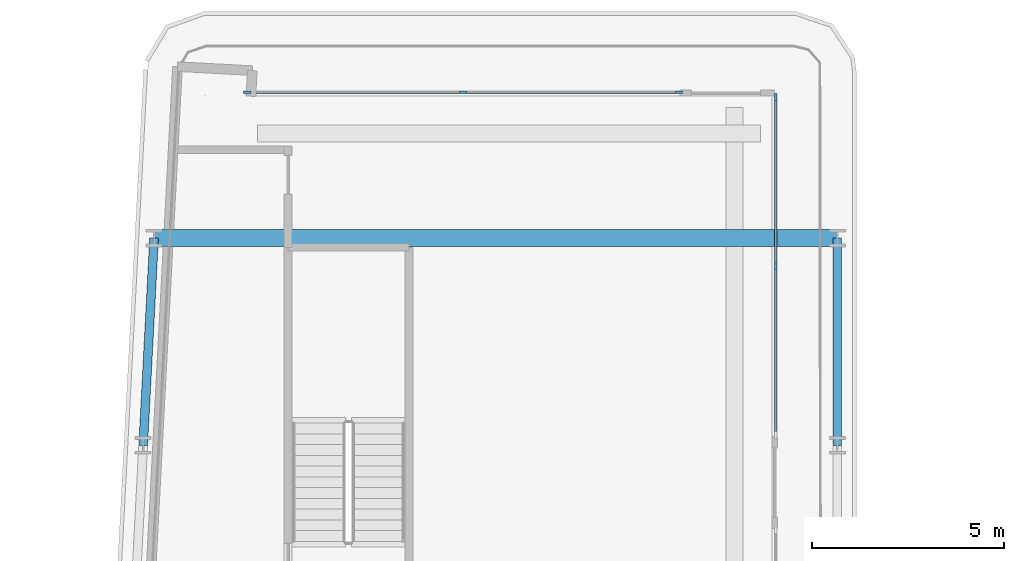
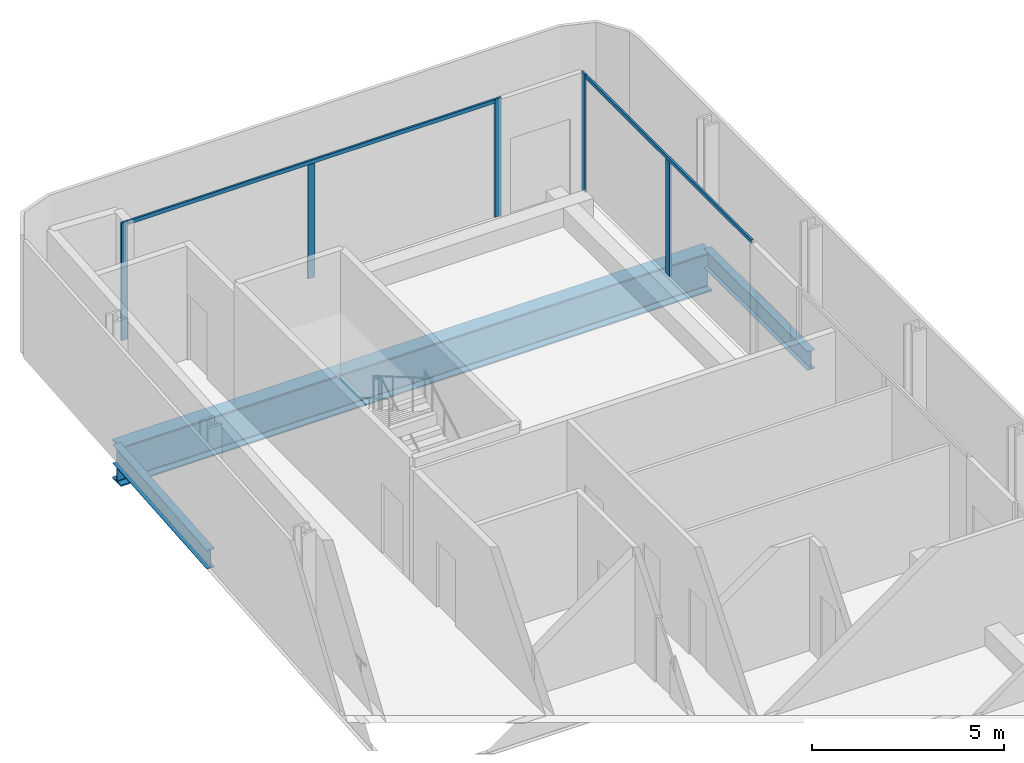
# One storey, part 9 of 25: 7 members, 3 beams, 2 elements without a shape of their own.
"""IFC4 building model written with IfcOpenShell, lengths in metres."""

import ifcopenshell
import ifcopenshell.guid

model = None  # the IFC model being written
_history = None  # IfcOwnerHistory: only IFC2X3 demands one
_inside = {}  # id of a spatial element -> (the spatial element, [elements in it])
_under = {}  # id of a project, library or spatial element -> (it, [spatial elements below it])
_declared = {}  # id of a project -> (the project, [libraries it declares])
_typed = {}  # id of a type object -> (the type object, [elements of that type])
_made_of = {}  # id of a material, layer set ... -> (it, [elements and type objects made of it])


def new_model(schema):
    """Start an empty IFC model of exactly this schema.

    Asked for "IFC4X3", IfcOpenShell would pick the latest addendum, in which some entities
    have other attributes; the version numbers below select the first issue.
    IFC2X3 requires an IfcOwnerHistory on every rooted entity: one is made here for all.
    """
    global model, _history
    if schema == "IFC4X3":
        model = ifcopenshell.file(schema_version=(4, 3, 0, 0))
    else:
        model = ifcopenshell.file(schema=schema)
    _inside.clear()
    _under.clear()
    _declared.clear()
    _typed.clear()
    _made_of.clear()
    _history = None
    if model.schema == "IFC2X3":
        org = make("IfcOrganization", Name="unknown")
        user = make(
            "IfcPersonAndOrganization",
            ThePerson=make("IfcPerson", FamilyName="unknown"),
            TheOrganization=org,
        )
        app = make(
            "IfcApplication",
            ApplicationDeveloper=org,
            Version="unknown",
            ApplicationFullName="unknown",
            ApplicationIdentifier="unknown",
        )
        _history = make(
            "IfcOwnerHistory",
            OwningUser=user,
            OwningApplication=app,
            ChangeAction="ADDED",
            CreationDate=0,
        )
    return model


def make(cls, **values):
    """One entity of the class cls with the attributes given. An attribute that is None is left unset."""
    return model.create_entity(
        cls, **{name: value for name, value in values.items() if value is not None}
    )


def rooted(cls, **values):
    """An entity with a GlobalId (a new one), such as an element, a storey or a relation."""
    return make(cls, GlobalId=ifcopenshell.guid.new(), OwnerHistory=_history, **values)


def si_unit(unit_type, name, prefix=None):
    """IfcSIUnit, for example si_unit("LENGTHUNIT", "METRE", prefix="MILLI")."""
    return make("IfcSIUnit", UnitType=unit_type, Prefix=prefix, Name=name)


def assignment(units):
    """IfcUnitAssignment: the units of a project."""
    return None if units is None else make("IfcUnitAssignment", Units=units)


def point(xyz):
    """IfcCartesianPoint."""
    return None if xyz is None else make("IfcCartesianPoint", Coordinates=xyz)


def direction(xyz):
    """IfcDirection."""
    return None if xyz is None else make("IfcDirection", DirectionRatios=xyz)


def frame(location, z_axis=None, x_axis=None):
    """IfcAxis2Placement3D, a coordinate frame: its origin and axes. An axis left out is left unset."""
    return make(
        "IfcAxis2Placement3D",
        Location=point(location),
        Axis=direction(z_axis),
        RefDirection=direction(x_axis),
    )


def frame_2d(location, x_axis=None):
    """IfcAxis2Placement2D, a coordinate frame in the plane: its origin and x axis."""
    return make(
        "IfcAxis2Placement2D", Location=point(location), RefDirection=direction(x_axis)
    )


def origin():
    """The frame at (0, 0, 0) with its axes left unset."""
    return frame((0.0, 0.0, 0.0))


def origin_2d():
    """The frame at (0, 0) in the plane with its x axis left unset."""
    return frame_2d((0.0, 0.0))


def place(relative_to, where):
    """IfcLocalPlacement: puts the frame where relative to a parent placement (None: the world)."""
    return make(
        "IfcLocalPlacement", PlacementRelTo=relative_to, RelativePlacement=where
    )


def context(
    kind, dimensions, precision=None, world=None, true_north=None, identifier=None
):
    """IfcGeometricRepresentationContext, for example the 3D "Model" context."""
    return make(
        "IfcGeometricRepresentationContext",
        ContextIdentifier=identifier,
        ContextType=kind,
        CoordinateSpaceDimension=dimensions,
        Precision=precision,
        WorldCoordinateSystem=world,
        TrueNorth=true_north,
    )


def subcontext(parent, identifier, kind, view, scale=None):
    """IfcGeometricRepresentationSubContext, for example "Body" below "Model"."""
    return make(
        "IfcGeometricRepresentationSubContext",
        ContextIdentifier=identifier,
        ContextType=kind,
        ParentContext=parent,
        TargetScale=scale,
        TargetView=view,
    )


def project(units=None, contexts=None):
    """IfcProject with its units and contexts."""
    return rooted(
        "IfcProject",
        Name="project",
        RepresentationContexts=contexts,
        UnitsInContext=assignment(units),
    )


def spatial(cls, under=None, at=None, **own):
    """A site, building, storey or space (cls), placed at a placement, below another one or the project."""
    s = rooted(cls, ObjectPlacement=at, **own)
    if under is not None:
        _under.setdefault(under.id(), (under, []))[1].append(s)
    return s


def profile(cls, at=None, kind="AREA", **sizes):
    """A parametric profile (cls). Its sizes go by their IFC names, for example OverallWidth=200.0."""
    return make(cls, ProfileType=kind, Position=at, **sizes)


def rectangle(**sizes):
    """IfcRectangleProfileDef."""
    return profile("IfcRectangleProfileDef", **sizes)


def i_section(**sizes):
    """IfcIShapeProfileDef."""
    return profile("IfcIShapeProfileDef", **sizes)


def extrude(swept, where, along, depth):
    """IfcExtrudedAreaSolid: the profile swept, set in the frame where, extruded along a direction by depth."""
    return make(
        "IfcExtrudedAreaSolid",
        SweptArea=swept,
        Position=where,
        ExtrudedDirection=direction(along),
        Depth=depth,
    )


def shape(context_of_items, identifier, shape_type, items):
    """IfcShapeRepresentation: the items that make up one representation, for example the "Body"."""
    return make(
        "IfcShapeRepresentation",
        ContextOfItems=context_of_items,
        RepresentationIdentifier=identifier,
        RepresentationType=shape_type,
        Items=items,
    )


def material(Name=None, Category=None):
    """IfcMaterial."""
    return make("IfcMaterial", Name=Name, Category=Category)


def layer(
    of_material, thickness, ventilated=None, Name=None, Category=None, Priority=None
):
    """IfcMaterialLayer: one layer of a wall or slab, of a material (None: an air gap)."""
    return make(
        "IfcMaterialLayer",
        Material=of_material,
        LayerThickness=thickness,
        IsVentilated=ventilated,
        Name=Name,
        Category=Category,
        Priority=Priority,
    )


def layer_set(layers, Name=None):
    """IfcMaterialLayerSet."""
    return make("IfcMaterialLayerSet", MaterialLayers=layers, LayerSetName=Name)


def material_profile(
    of_material, cross_section, Name=None, Category=None, Priority=None
):
    """IfcMaterialProfile: a cross section and its material."""
    return make(
        "IfcMaterialProfile",
        Name=Name,
        Material=of_material,
        Profile=cross_section,
        Priority=Priority,
        Category=Category,
    )


def profile_set(profiles, Name=None, composite=None):
    """IfcMaterialProfileSet."""
    return make(
        "IfcMaterialProfileSet",
        Name=Name,
        MaterialProfiles=profiles,
        CompositeProfile=composite,
    )


def made_of(thing, what):
    """Note that an element or type object is made of a material, layer set ...; save() writes the relation."""
    if what is not None:
        _made_of.setdefault(what.id(), (what, []))[1].append(thing)
    return thing


def type_object(cls, material=None, **own):
    """A type object (cls), such as IfcWallType, which elements share."""
    return made_of(rooted(cls, **own), material)


def element(
    cls,
    number,
    at=None,
    inside=None,
    cuts=None,
    type_object=None,
    material=None,
    context=None,
    identifier="Body",
    shape_type=None,
    held_by="IfcProductDefinitionShape",
    body=None,
    shapes=None,
    **own,
):
    """One element of the class cls, such as IfcWall. Its Tag is "e" and its number.

    at: its placement. inside: the storey or other place that contains it. cuts: it is an
    opening in that element (IfcRelVoidsElement). A single representation is given by context,
    identifier, shape_type and body (its items); several are given by shapes. held_by: the class
    of the entity that holds the representations. save() writes the other relations.
    """
    e = rooted(cls, Tag="e%d" % number, ObjectPlacement=at, **own)
    if body is not None:
        shapes = [shape(context, identifier, shape_type, body)]
    if shapes is not None:
        e.Representation = make(held_by, Representations=shapes)
    if inside is not None:
        _inside.setdefault(inside.id(), (inside, []))[1].append(e)
    if cuts is not None:
        rooted(
            "IfcRelVoidsElement", RelatingBuildingElement=cuts, RelatedOpeningElement=e
        )
    if type_object is not None:
        _typed.setdefault(type_object.id(), (type_object, []))[1].append(e)
    return made_of(e, material)


def aggregate(whole, parts):
    """IfcRelAggregates: a whole, such as a stair, and the parts it consists of."""
    return rooted("IfcRelAggregates", RelatingObject=whole, RelatedObjects=parts)


def save(model, path):
    """Write the relations noted so far, then the file.

    IfcRelAggregates (storeys below a building ...), IfcRelContainedInSpatialStructure (elements
    in a storey), IfcRelDefinesByType, IfcRelAssociatesMaterial and IfcRelDeclares: one each for
    every whole, place, type object, material and project.
    """
    for whole, parts in _under.values():
        aggregate(whole, parts)
    for where, things in _inside.values():
        rooted(
            "IfcRelContainedInSpatialStructure",
            RelatedElements=things,
            RelatingStructure=where,
        )
    for kind, things in _typed.values():
        rooted("IfcRelDefinesByType", RelatedObjects=things, RelatingType=kind)
    for what, things in _made_of.values():
        rooted("IfcRelAssociatesMaterial", RelatedObjects=things, RelatingMaterial=what)
    for by, libraries in _declared.values():
        rooted("IfcRelDeclares", RelatingContext=by, RelatedDefinitions=libraries)
    model.write(path)


model = new_model("IFC4")

# Units and contexts
model_context = context("Model", 3, precision=1e-05, world=origin(), true_north=direction((0.0, 1.0)))
body_context = subcontext(model_context, "Body", "Model", "MODEL_VIEW")
ifc_project = project(units=[si_unit("LENGTHUNIT", "METRE"), si_unit("AREAUNIT", "SQUARE_METRE"), si_unit("VOLUMEUNIT", "CUBIC_METRE"), si_unit("PLANEANGLEUNIT", "RADIAN"), si_unit("MASSUNIT", "GRAM", prefix="KILO")], contexts=[model_context])

# Site, building, storey
site_placement = place(None, origin())
site = spatial("IfcSite", under=ifc_project, at=site_placement, CompositionType="ELEMENT")
building_placement = place(site_placement, origin())
building = spatial("IfcBuilding", under=site, at=building_placement, Name="Kheshtan School and Residences Tower", CompositionType="ELEMENT")
storey_placement = place(building_placement, frame((0.0, 0.0, 109.699951171875)))
storey = spatial("IfcBuildingStorey", under=building, at=storey_placement, Name="L25", CompositionType="ELEMENT", Elevation=109.699951171875)

# Beams
ifc_material_1 = material(Name="Steel ASTM A992 Grade 50", Category="steel")
ifc_material_profile_1 = material_profile(ifc_material_1, i_section(OverallWidth=0.22802734375, OverallDepth=0.60302734375, WebThickness=0.010498046875, FlangeThickness=0.014892578125, FilletRadius=0.013427734375, at=origin_2d()), Name="W610x101")
ifc_profile_set_1 = profile_set([ifc_material_profile_1], Name="Steel ASTM A992 Grade 50")
beam_type_1 = type_object("IfcBeamType", Name="Beam SP2 W610x101 ASTM A992 Grade 50", PredefinedType="BEAM", material=ifc_profile_set_1)
beam_1_placement = place(storey_placement, frame((47.60009765625, 88.800048828125, -0.451416015625), z_axis=(0.0, -1.0, 0.0), x_axis=(1.0, 0.0, 0.0)))
element("IfcBeam", 1, at=beam_1_placement, inside=storey, type_object=beam_type_1, Name="Spandrel beam C099-C091", PredefinedType="BEAM", context=body_context, shape_type="SweptSolid", body=[
    extrude(i_section(OverallWidth=0.22802734375, OverallDepth=0.60302734375, WebThickness=0.010498046875, FlangeThickness=0.014892578125, FilletRadius=0.013427734375, at=origin_2d()), origin(), (0.0, 0.0, 1.0), 5.400146484375),
])
beam_2_placement = place(storey_placement, frame((29.527099609375, 83.39990234375, -0.451416015625), z_axis=(0.05250670125, 0.998620571751, 0.0), x_axis=(-0.998620571751, 0.05250670125, 0.0)))
element("IfcBeam", 2, at=beam_2_placement, inside=storey, type_object=beam_type_1, Name="Spandrel beam C090-C098", PredefinedType="BEAM", context=body_context, shape_type="SweptSolid", body=[
    extrude(i_section(OverallWidth=0.22802734375, OverallDepth=0.60302734375, WebThickness=0.010498046875, FlangeThickness=0.014892578125, FilletRadius=0.013427734375, at=origin_2d()), origin(), (0.0, 0.0, 1.0), 5.40771484375),
])

# Curtain wall, members
ifc_material_2 = material(Name="Clear low-e glass in thermally broken aluminium frame", Category="aluminium")
ifc_layer = layer(ifc_material_2, 0.199951171875)
ifc_layer_set = layer_set([ifc_layer], Name="Curtain wall CW-L")
curtain_wall_type = type_object("IfcCurtainWallType", Name="Curtain wall CW-L", PredefinedType="NOTDEFINED", material=ifc_layer_set)
curtain_wall_1_placement = place(storey_placement, origin())
curtain_wall_1 = element("IfcCurtainWall", 3, at=curtain_wall_1_placement, inside=storey, type_object=curtain_wall_type, Name="Curtain wall CWL3a", PredefinedType="NOTDEFINED")
ifc_material_3 = material(Name="Thermally broken aluminium, dark bronze anodised", Category="aluminium")
ifc_material_profile_2 = material_profile(ifc_material_3, rectangle(XDim=0.06005859375, YDim=0.199951171875, at=origin_2d()), Name="CW-L mullion 60x200")
ifc_profile_set_2 = profile_set([ifc_material_profile_2], Name="Thermally broken aluminium, dark bronze anodised")
member_type_1 = type_object("IfcMemberType", Name="CW-L mullion 60x200", PredefinedType="MULLION", material=ifc_profile_set_2)
member_1_placement = place(storey_placement, frame((32.238037109375, 92.60009765625, 0.0), z_axis=(0.0, 0.0, 1.0), x_axis=(0.0, 1.0, 0.0)))
member_1 = element("IfcMember", 4, at=member_1_placement, type_object=member_type_1, Name="CWL3a mullion 1", PredefinedType="MULLION", context=body_context, shape_type="SweptSolid", body=[
    extrude(rectangle(XDim=0.06005859375, YDim=0.199951171875, at=origin_2d()), origin(), (0.0, 0.0, 1.0), 3.75),
])
member_2_placement = place(storey_placement, frame((37.85400390625, 92.60009765625, 0.0), z_axis=(0.0, 0.0, 1.0), x_axis=(0.0, 1.0, 0.0)))
member_2 = element("IfcMember", 5, at=member_2_placement, type_object=member_type_1, Name="CWL3a mullion 2", PredefinedType="MULLION", context=body_context, shape_type="SweptSolid", body=[
    extrude(rectangle(XDim=0.06005859375, YDim=0.199951171875, at=origin_2d()), origin(), (0.0, 0.0, 1.0), 3.630126953125),
])
member_3_placement = place(storey_placement, frame((43.469970703125, 92.60009765625, 0.0), z_axis=(0.0, 0.0, 1.0), x_axis=(0.0, 1.0, 0.0)))
member_3 = element("IfcMember", 6, at=member_3_placement, type_object=member_type_1, Name="CWL3a mullion 3", PredefinedType="MULLION", context=body_context, shape_type="SweptSolid", body=[
    extrude(rectangle(XDim=0.06005859375, YDim=0.199951171875, at=origin_2d()), origin(), (0.0, 0.0, 1.0), 3.75),
])

curtain_wall_2_placement = place(storey_placement, origin())
curtain_wall_2 = element("IfcCurtainWall", 7, at=curtain_wall_2_placement, inside=storey, type_object=curtain_wall_type, Name="Curtain wall CWL4b", PredefinedType="NOTDEFINED")
member_4_placement = place(storey_placement, frame((46.0, 92.469970703125, 0.0), z_axis=(0.0, 0.0, 1.0), x_axis=(1.0, 0.0, 0.0)))
member_4 = element("IfcMember", 8, at=member_4_placement, type_object=member_type_1, Name="CWL4b mullion 1", PredefinedType="MULLION", context=body_context, shape_type="SweptSolid", body=[
    extrude(rectangle(XDim=0.06005859375, YDim=0.199951171875, at=origin_2d()), origin(), (0.0, 0.0, 1.0), 3.75),
])
member_5_placement = place(storey_placement, frame((46.0, 88.066162109375, 0.0), z_axis=(0.0, 0.0, 1.0), x_axis=(1.0, 0.0, 0.0)))
member_5 = element("IfcMember", 9, at=member_5_placement, type_object=member_type_1, Name="CWL4b mullion 2", PredefinedType="MULLION", context=body_context, shape_type="SweptSolid", body=[
    extrude(rectangle(XDim=0.06005859375, YDim=0.199951171875, at=origin_2d()), origin(), (0.0, 0.0, 1.0), 3.630126953125),
])

# Member
ifc_material_profile_3 = material_profile(ifc_material_3, rectangle(XDim=0.06005859375, YDim=0.1201171875, at=origin_2d()), Name="CW-L transom 60x120")
ifc_profile_set_3 = profile_set([ifc_material_profile_3], Name="Thermally broken aluminium, dark bronze anodised")
member_type_2 = type_object("IfcMemberType", Name="CW-L transom 60x120", PredefinedType="USERDEFINED", material=ifc_profile_set_3)
member_6_placement = place(storey_placement, frame((32.26806640625, 92.60009765625, 3.68994140625), z_axis=(1.0, 0.0, 0.0), x_axis=(0.0, 1.0, 0.0)))
member_6 = element("IfcMember", 10, at=member_6_placement, type_object=member_type_2, Name="CWL3a transom 1", ObjectType="TRANSOM", PredefinedType="USERDEFINED", context=body_context, shape_type="SweptSolid", body=[
    extrude(rectangle(XDim=0.06005859375, YDim=0.1201171875, at=origin_2d()), origin(), (0.0, 0.0, 1.0), 11.171875),
])

aggregate(curtain_wall_1, [member_1, member_2, member_3, member_6])

member_7_placement = place(storey_placement, frame((46.0, 92.43994140625, 3.68994140625), z_axis=(0.0, -1.0, 0.0), x_axis=(1.0, 0.0, 0.0)))
member_7 = element("IfcMember", 11, at=member_7_placement, type_object=member_type_2, Name="CWL4b transom 1", ObjectType="TRANSOM", PredefinedType="USERDEFINED", context=body_context, shape_type="SweptSolid", body=[
    extrude(rectangle(XDim=0.06005859375, YDim=0.1201171875, at=origin_2d()), origin(), (0.0, 0.0, 1.0), 8.74755859375),
])

aggregate(curtain_wall_2, [member_4, member_5, member_7])

# Beam
ifc_material_profile_4 = material_profile(ifc_material_1, i_section(OverallWidth=0.449951171875, OverallDepth=1.25, WebThickness=0.02490234375, FlangeThickness=0.044921875, FilletRadius=0.03759765625, at=origin_2d()), Name="WWF1250x546")
ifc_profile_set_4 = profile_set([ifc_material_profile_4], Name="Steel ASTM A992 Grade 50")
beam_type_2 = type_object("IfcBeamType", Name="Transfer girder TG4 WWF1250x546 ASTM A992 Grade 50", PredefinedType="BEAM", material=ifc_profile_set_4)
beam_3_placement = place(storey_placement, frame((29.81103515625, 88.800048828125, -0.77490234375), z_axis=(1.0, 0.0, 0.0), x_axis=(0.0, 1.0, 0.0)))
element("IfcBeam", 12, at=beam_3_placement, inside=storey, type_object=beam_type_2, Name="Transfer girder C098-C099", PredefinedType="BEAM", context=body_context, shape_type="SweptSolid", body=[
    extrude(i_section(OverallWidth=0.449951171875, OverallDepth=1.25, WebThickness=0.02490234375, FlangeThickness=0.044921875, FilletRadius=0.03759765625, at=origin_2d()), origin(), (0.0, 0.0, 1.0), 17.7890625),
])

save(model, "model.ifc")
